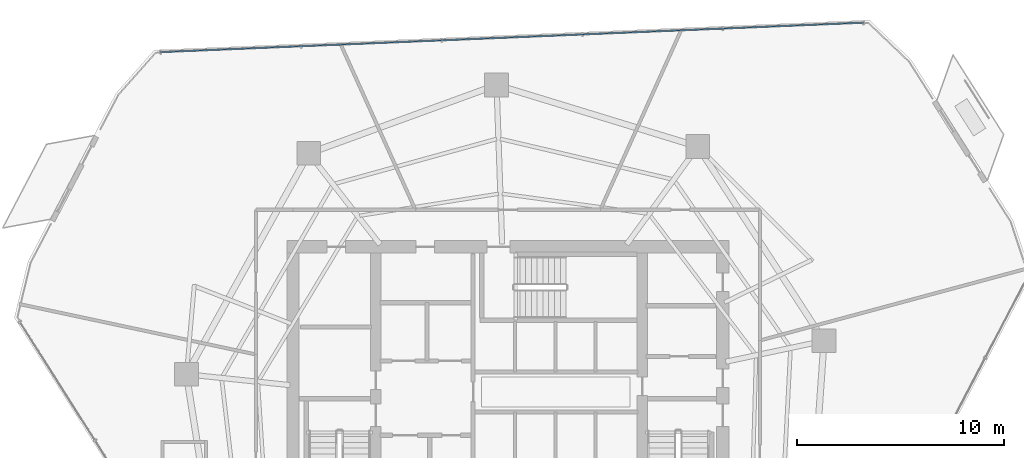
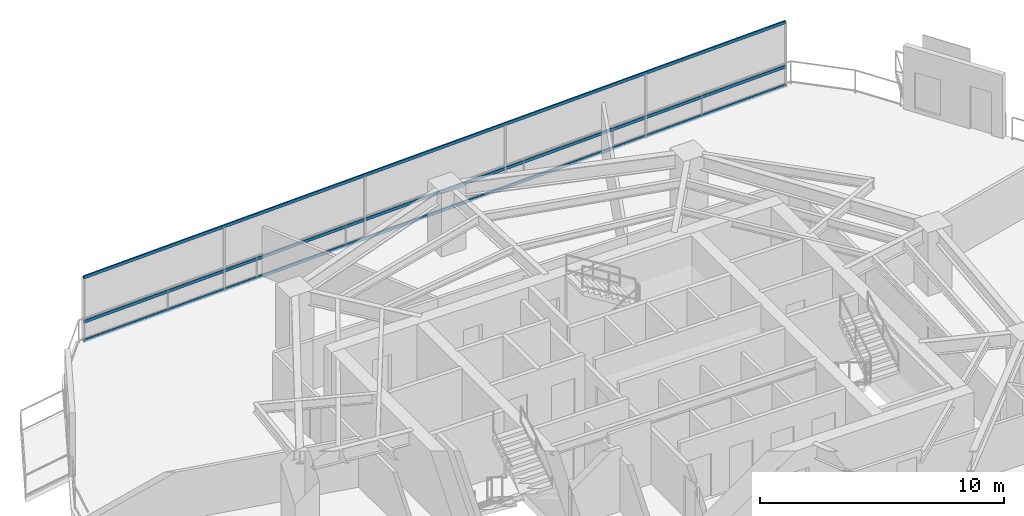
# One storey, part 17 of 25: 3 members, 1 element without a shape of its own.
"""IFC4 building model written with IfcOpenShell, lengths in metres."""

from ifc_helpers import new_model, si_unit, direction, frame, origin, origin_2d, place, context, subcontext, project, spatial, hollow_rectangle, extrude, material, layer, layer_set, material_profile, profile_set, type_object, element, aggregate, save


model = new_model("IFC4")

# Units and contexts
model_context = context("Model", 3, precision=1e-05, world=origin(), true_north=direction((0.0, 1.0)))
body_context = subcontext(model_context, "Body", "Model", "MODEL_VIEW")
ifc_project = project(units=[si_unit("LENGTHUNIT", "METRE"), si_unit("AREAUNIT", "SQUARE_METRE"), si_unit("VOLUMEUNIT", "CUBIC_METRE"), si_unit("PLANEANGLEUNIT", "RADIAN"), si_unit("MASSUNIT", "GRAM", prefix="KILO")], contexts=[model_context])

# Site, building, storey
site_placement = place(None, origin())
site = spatial("IfcSite", under=ifc_project, at=site_placement, CompositionType="ELEMENT")
building_placement = place(site_placement, origin())
building = spatial("IfcBuilding", under=site, at=building_placement, Name="Qarnah Convention Tower", CompositionType="ELEMENT")
storey_placement = place(building_placement, frame((0.0, 0.0, 76.35009765625)))
storey = spatial("IfcBuildingStorey", under=building, at=storey_placement, Name="L19", CompositionType="ELEMENT", Elevation=76.35009765625)

# Curtain wall, members
ifc_material_1 = material(Name="Tempered Low-E dark glass", Category="glass")
ifc_layer = layer(ifc_material_1, 0.169921875)
ifc_layer_set = layer_set([ifc_layer], Name="Tempered Low-E dark glass")
curtain_wall_type = type_object("IfcCurtainWallType", Name="CWS-02", PredefinedType="NOTDEFINED", material=ifc_layer_set)
curtain_wall_placement = place(storey_placement, origin())
curtain_wall = element("IfcCurtainWall", 1, at=curtain_wall_placement, inside=storey, type_object=curtain_wall_type, Name="L19 unitised curtain wall CW-L19-F4", PredefinedType="NOTDEFINED")
ifc_material_2 = material(Name="Black anodised aluminium", Category="aluminium")
ifc_material_profile = material_profile(ifc_material_2, hollow_rectangle(XDim=0.06494140625, YDim=0.14990234375, WallThickness=0.00390625, at=origin_2d()), Name="TRN-65X150")
ifc_profile_set = profile_set([ifc_material_profile], Name="Black anodised aluminium")
member_type = type_object("IfcMemberType", Name="TRN-T2", PredefinedType="USERDEFINED", material=ifc_profile_set)
member_1_placement = place(storey_placement, frame((20.386962890625, 43.6298828125, 0.0), z_axis=(0.999123043302, 0.041870566555, 0.0), x_axis=(-0.041870566555, 0.999123043302, 0.0)))
member_1 = element("IfcMember", 2, at=member_1_placement, type_object=member_type, Name="CW-L19-F4 transom 1", ObjectType="TRANSOM", PredefinedType="USERDEFINED", context=body_context, shape_type="SweptSolid", body=[
    extrude(hollow_rectangle(XDim=0.06494140625, YDim=0.14990234375, WallThickness=0.00390625, at=origin_2d()), origin(), (0.0, 0.0, 1.0), 34.057861328125),
])
member_2_placement = place(storey_placement, frame((20.386962890625, 43.6298828125, 0.949951171875), z_axis=(0.999123043302, 0.041870566555, 0.0), x_axis=(-0.041870566555, 0.999123043302, 0.0)))
member_2 = element("IfcMember", 3, at=member_2_placement, type_object=member_type, Name="CW-L19-F4 transom 2", ObjectType="TRANSOM", PredefinedType="USERDEFINED", context=body_context, shape_type="SweptSolid", body=[
    extrude(hollow_rectangle(XDim=0.06494140625, YDim=0.14990234375, WallThickness=0.00390625, at=origin_2d()), origin(), (0.0, 0.0, 1.0), 34.057861328125),
])
member_3_placement = place(storey_placement, frame((20.386962890625, 43.6298828125, 3.169921875), z_axis=(0.999123043302, 0.041870566555, 0.0), x_axis=(-0.041870566555, 0.999123043302, 0.0)))
member_3 = element("IfcMember", 4, at=member_3_placement, type_object=member_type, Name="CW-L19-F4 transom 3", ObjectType="TRANSOM", PredefinedType="USERDEFINED", context=body_context, shape_type="SweptSolid", body=[
    extrude(hollow_rectangle(XDim=0.06494140625, YDim=0.14990234375, WallThickness=0.00390625, at=origin_2d()), origin(), (0.0, 0.0, 1.0), 34.057861328125),
])
aggregate(curtain_wall, [member_1, member_2, member_3])

save(model, "model.ifc")
